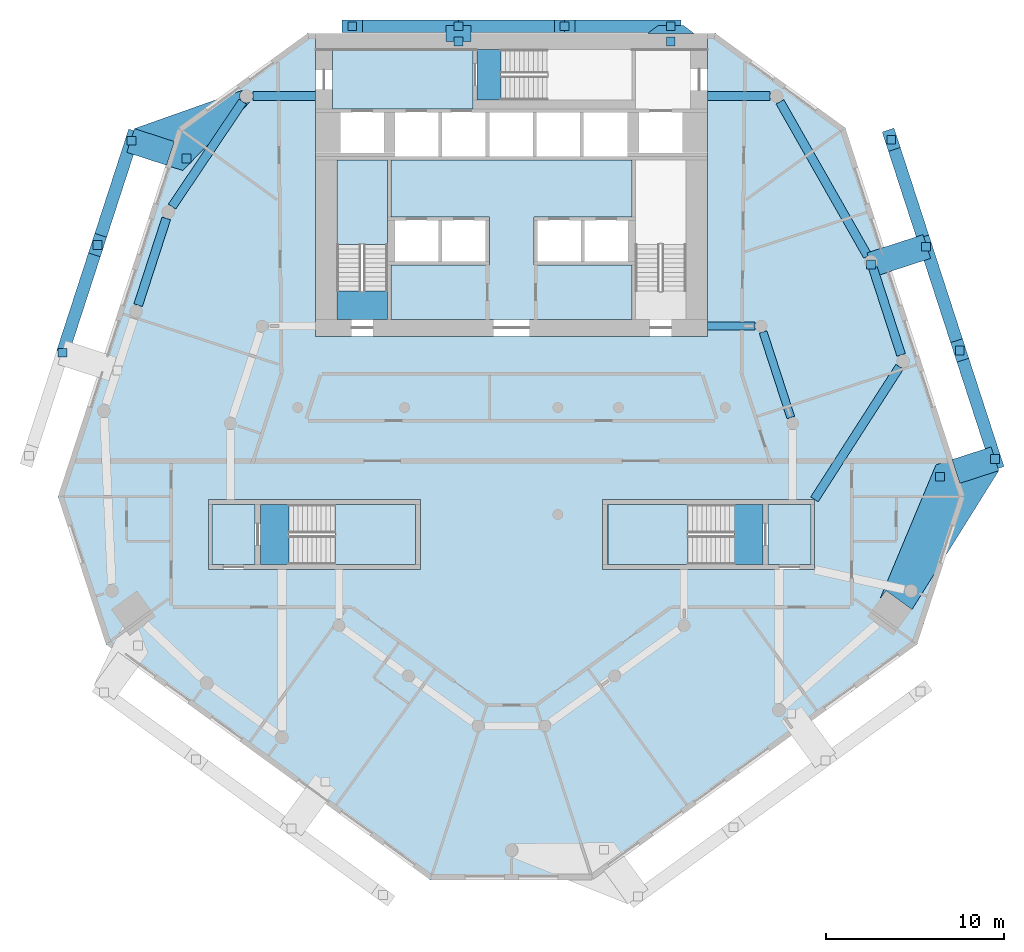
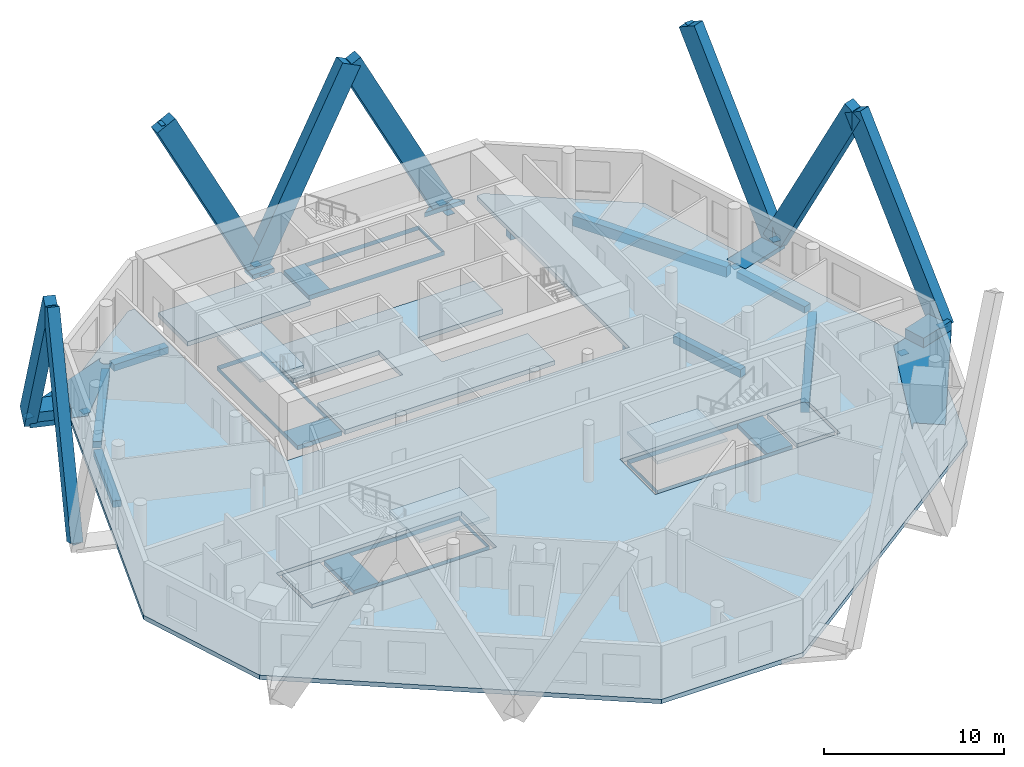
# One storey, part 2 of 9: 16 discrete accessories, 15 members, 12 slabs, 9 beams, 3 elements without a shape of their own.
"""IFC4 building model written with IfcOpenShell, lengths in metres."""

from ifc_helpers import new_model, si_unit, direction, frame, origin, origin_2d, place, context, subcontext, project, spatial, polyline, rectangle, outline, extrude, material, layer, layer_set, material_profile, profile_set, type_object, element, aggregate, save


model = new_model("IFC4")

# Units and contexts
model_context = context("Model", 3, precision=1e-05, world=origin(), true_north=direction((0.0, 1.0)))
body_context = subcontext(model_context, "Body", "Model", "MODEL_VIEW")
ifc_project = project(units=[si_unit("LENGTHUNIT", "METRE"), si_unit("AREAUNIT", "SQUARE_METRE"), si_unit("VOLUMEUNIT", "CUBIC_METRE"), si_unit("PLANEANGLEUNIT", "RADIAN"), si_unit("MASSUNIT", "GRAM", prefix="KILO")], contexts=[model_context])

# Site, building, storey
site_placement = place(None, origin())
site = spatial("IfcSite", under=ifc_project, at=site_placement, CompositionType="ELEMENT")
building_placement = place(site_placement, origin())
building = spatial("IfcBuilding", under=site, at=building_placement, Name="White Candle Pilgrim Tower", CompositionType="ELEMENT")
storey_placement = place(building_placement, frame((0.0, 0.0, 148.60009765625)))
storey = spatial("IfcBuildingStorey", under=building, at=storey_placement, Name="L33", CompositionType="ELEMENT", Elevation=148.60009765625)

# Member
ifc_material_1 = material(Name="Concrete C70/85, white", Category="concrete")
ifc_material_profile_1 = material_profile(ifc_material_1, rectangle(XDim=0.699951171875, YDim=1.300048828125, at=origin_2d()), Name="RC-DG 700x1300")
ifc_profile_set_1 = profile_set([ifc_material_profile_1], Name="Concrete C70/85, white")
member_type_1 = type_object("IfcMemberType", Name="Exoskeleton diagonal RC-DG 700x1300 C70/85", PredefinedType="BRACE", material=ifc_profile_set_1)
member_1_placement = place(storey_placement, frame((78.93701171875, 88.39990234375, 0.0), z_axis=(-0.453783992732, 0.0, 0.891111714624), x_axis=(0.0, -1.0, 0.0)))
member_1 = element("IfcMember", 1, at=member_1_placement, inside=storey, type_object=member_type_1, Name="Exoskeleton diagonal EX121", PredefinedType="BRACE", context=body_context, shape_type="SweptSolid", body=[
    extrude(rectangle(XDim=0.699951171875, YDim=1.300048828125, at=origin_2d()), origin(), (0.0, 0.0, 1.0), 13.129638671875),
])

member_2_placement = place(storey_placement, frame((67.02099609375, 88.39990234375, 0.0), z_axis=(0.453783992732, 0.0, 0.891111714624), x_axis=(0.0, 1.0, 0.0)))
member_2 = element("IfcMember", 2, at=member_2_placement, inside=storey, type_object=member_type_1, Name="Exoskeleton diagonal EX122", PredefinedType="BRACE", context=body_context, shape_type="SweptSolid", body=[
    extrude(rectangle(XDim=0.699951171875, YDim=1.300048828125, at=origin_2d()), origin(), (0.0, 0.0, 1.0), 13.129638671875),
])

member_3_placement = place(storey_placement, frame((67.02099609375, 88.39990234375, 0.0), z_axis=(-0.453783992732, 0.0, 0.891111714624), x_axis=(0.0, -1.0, 0.0)))
member_3 = element("IfcMember", 3, at=member_3_placement, inside=storey, type_object=member_type_1, Name="Exoskeleton diagonal EX123", PredefinedType="BRACE", context=body_context, shape_type="SweptSolid", body=[
    extrude(rectangle(XDim=0.699951171875, YDim=1.300048828125, at=origin_2d()), origin(), (0.0, 0.0, 1.0), 13.129638671875),
])

member_4_placement = place(storey_placement, frame((97.12841796875, 64.1240234375, 0.0), z_axis=(-0.148220534513, 0.456142057539, 0.877476550395), x_axis=(-0.951049778299, -0.309037731026, 0.0)))
member_4 = element("IfcMember", 4, at=member_4_placement, inside=storey, type_object=member_type_1, Name="Exoskeleton diagonal EX133", PredefinedType="BRACE", context=body_context, shape_type="SweptSolid", body=[
    extrude(rectangle(XDim=0.699951171875, YDim=1.300048828125, at=origin_2d()), origin(), (0.0, 0.0, 1.0), 13.333740234375),
])

member_5_placement = place(storey_placement, frame((93.261962890625, 76.023681640625, 0.0), z_axis=(0.143164957843, -0.440645541262, 0.886191458891), x_axis=(0.951062515241, 0.308998530908, 0.0)))
member_5 = element("IfcMember", 5, at=member_5_placement, inside=storey, type_object=member_type_1, Name="Exoskeleton diagonal EX134", PredefinedType="BRACE", context=body_context, shape_type="SweptSolid", body=[
    extrude(rectangle(XDim=0.699951171875, YDim=1.300048828125, at=origin_2d()), origin(), (0.0, 0.0, 1.0), 13.202392578125),
])

member_6_placement = place(storey_placement, frame((93.261962890625, 76.023681640625, 0.0), z_axis=(-0.146785830881, 0.451797018869, 0.879962143273), x_axis=(-0.951063890037, -0.308994299409, 0.0)))
member_6 = element("IfcMember", 6, at=member_6_placement, inside=storey, type_object=member_type_1, Name="Exoskeleton diagonal EX135", PredefinedType="BRACE", context=body_context, shape_type="SweptSolid", body=[
    extrude(rectangle(XDim=0.699951171875, YDim=1.300048828125, at=origin_2d()), origin(), (0.0, 0.0, 1.0), 13.2958984375),
])

member_7_placement = place(storey_placement, frame((48.671142578125, 81.973388671875, 0.0), z_axis=(-0.143890620998, -0.442862535006, 0.884967945338), x_axis=(0.95105912878, -0.309008953859, 0.0)))
member_7 = element("IfcMember", 7, at=member_7_placement, inside=storey, type_object=member_type_1, Name="Exoskeleton diagonal EX169", PredefinedType="BRACE", context=body_context, shape_type="SweptSolid", body=[
    extrude(rectangle(XDim=0.699951171875, YDim=1.300048828125, at=origin_2d()), origin(), (0.0, 0.0, 1.0), 13.220703125),
])

member_8_placement = place(storey_placement, frame((44.8046875, 70.07373046875, 0.0), z_axis=(0.147513051825, 0.453980814186, 0.878715721888), x_axis=(-0.951052980016, 0.30902787771, 0.0)))
member_8 = element("IfcMember", 8, at=member_8_placement, inside=storey, type_object=member_type_1, Name="Exoskeleton diagonal EX170", PredefinedType="BRACE", context=body_context, shape_type="SweptSolid", body=[
    extrude(rectangle(XDim=0.699951171875, YDim=1.300048828125, at=origin_2d()), origin(), (0.0, 0.0, 1.0), 13.31494140625),
])

ifc_layer_1 = layer(ifc_material_1, 0.300048828125)
ifc_layer_set_1 = layer_set([ifc_layer_1], Name="Node tie strut 3250x1400x300 C70/85")
member_type_2 = type_object("IfcMemberType", Name="Node tie strut 3250x1400x300 C70/85", PredefinedType="STRUT", material=ifc_layer_set_1)
member_9_placement = place(storey_placement, frame((0.0, 0.0, -0.35009765625)))
member_9 = element("IfcMember", 9, at=member_9_placement, inside=storey, type_object=member_type_2, Name="Node tie strut NC101", PredefinedType="STRUT", context=body_context, shape_type="SweptSolid", body=[
    extrude(outline(polyline([(92.47705078125, 55.669189453125), (97.3447265625, 63.458251953125), (96.912109375, 64.789794921875), (93.8212890625, 63.785400390625), (90.671142578125, 56.245849609375), (91.02099609375, 56.72705078125), (92.47705078125, 55.669189453125)])), origin(), (0.0, 0.0, 1.0), 0.35009765625),
])

member_10_placement = place(storey_placement, origin())
element("IfcMember", 10, at=member_10_placement, inside=storey, type_object=member_type_2, Name="Node tie strut NC101", PredefinedType="STRUT", context=body_context, shape_type="SweptSolid", body=[
    extrude(outline(polyline([(95.1572265625, 62.74755859375), (97.3447265625, 63.458251953125), (96.912109375, 64.789794921875), (94.724609375, 64.0791015625), (95.1572265625, 62.74755859375)])), origin(), (0.0, 0.0, 1.0), 0.64990234375),
])

ifc_layer_2 = layer(ifc_material_1, 0.300048828125)
ifc_layer_set_2 = layer_set([ifc_layer_2], Name="Node tie strut 3300x1400x300 C70/85")
member_type_3 = type_object("IfcMemberType", Name="Node tie strut 3300x1400x300 C70/85", PredefinedType="STRUT", material=ifc_layer_set_2)
member_11_placement = place(storey_placement, frame((91.740234375, 75.529296875, -0.30029296875), z_axis=(0.0, 0.0, 1.0), x_axis=(-0.309016994375, 0.951056516295, 0.0)))
member_11 = element("IfcMember", 11, at=member_11_placement, inside=storey, type_object=member_type_3, Name="Node tie strut NC102", PredefinedType="STRUT", context=body_context, shape_type="SweptSolid", body=[
    extrude(rectangle(XDim=1.39990234375, YDim=3.300048828125, at=origin_2d()), origin(), (0.0, 0.0, 1.0), 0.300048828125),
])

member_12_placement = place(storey_placement, frame((0.0, 0.0, -0.35009765625)))
member_12 = element("IfcMember", 12, at=member_12_placement, inside=storey, type_object=member_type_3, Name="Node tie strut NC109", PredefinedType="STRUT", context=body_context, shape_type="SweptSolid", body=[
    extrude(outline(polyline([(51.5458984375, 80.30322265625), (55.38525390625, 84.21484375), (55.3671875, 84.197998046875), (55.348388671875, 84.1826171875), (55.328369140625, 84.168212890625), (55.3076171875, 84.1552734375), (55.285888671875, 84.143798828125), (55.263427734375, 84.133544921875), (55.240478515625, 84.125), (55.217041015625, 84.117919921875), (55.193115234375, 84.1123046875), (55.1689453125, 84.108154296875), (55.14453125, 84.105712890625), (55.1201171875, 84.10498046875), (55.095458984375, 84.105712890625), (55.071044921875, 84.108154296875), (55.046875, 84.1123046875), (55.02294921875, 84.117919921875), (54.99951171875, 84.125), (54.9765625, 84.133544921875), (54.9541015625, 84.143798828125), (54.9326171875, 84.1552734375), (54.91162109375, 84.168212890625), (54.8916015625, 84.1826171875), (54.872802734375, 84.197998046875), (54.854736328125, 84.21484375), (54.838134765625, 84.232666015625), (54.822509765625, 84.251708984375), (54.80810546875, 84.271728515625), (54.795166015625, 84.29248046875), (54.78369140625, 84.314208984375), (54.7734375, 84.33642578125), (54.764892578125, 84.359619140625), (54.7578125, 84.3828125), (54.752197265625, 84.40673828125), (54.748291015625, 84.43115234375), (54.745849609375, 84.45556640625), (54.7451171875, 84.47998046875), (54.745849609375, 84.50439453125), (54.748291015625, 84.52880859375), (54.752197265625, 84.55322265625), (54.7578125, 84.5771484375), (54.764892578125, 84.6005859375), (54.7734375, 84.62353515625), (54.78369140625, 84.64599609375), (54.795166015625, 84.66748046875), (54.80810546875, 84.688232421875), (54.822509765625, 84.708251953125), (54.838134765625, 84.727294921875), (54.854736328125, 84.7451171875), (54.872802734375, 84.761962890625), (54.8916015625, 84.777587890625), (54.91162109375, 84.791748046875), (54.9326171875, 84.8046875), (54.9541015625, 84.81640625), (54.9765625, 84.826416015625), (54.99951171875, 84.835205078125), (48.840087890625, 82.654541015625), (48.4072265625, 81.322998046875), (51.5458984375, 80.30322265625)])), origin(), (0.0, 0.0, 1.0), 0.35009765625),
])

member_13_placement = place(storey_placement, origin())
element("IfcMember", 13, at=member_13_placement, inside=storey, type_object=member_type_3, Name="Node tie strut NC109", PredefinedType="STRUT", context=body_context, shape_type="SweptSolid", body=[
    extrude(outline(polyline([(50.642333984375, 80.596923828125), (51.074951171875, 81.92822265625), (48.840087890625, 82.654541015625), (48.4072265625, 81.322998046875), (50.642333984375, 80.596923828125)])), origin(), (0.0, 0.0, 1.0), 0.64990234375),
])

ifc_layer_3 = layer(ifc_material_1, 0.300048828125)
ifc_layer_set_3 = layer_set([ifc_layer_3], Name="Node tie strut 900x1400x300 C70/85")
member_type_4 = type_object("IfcMemberType", Name="Node tie strut 900x1400x300 C70/85", PredefinedType="STRUT", material=ifc_layer_set_3)
member_14_placement = place(storey_placement, frame((0.0, 0.0, -0.300048828125)))
member_14 = element("IfcMember", 14, at=member_14_placement, inside=storey, type_object=member_type_4, Name="Node tie strut NC103", PredefinedType="STRUT", context=body_context, shape_type="SweptSolid", body=[
    extrude(outline(polyline([(77.636962890625, 88.0), (80.237060546875, 88.0), (79.636962890625, 88.449951171875), (78.237060546875, 88.449951171875), (77.636962890625, 88.0)])), origin(), (0.0, 0.0, 1.0), 0.300048828125),
])

member_15_placement = place(storey_placement, frame((67.02099609375, 88.0, -0.30029296875), z_axis=(0.0, 0.0, 1.0), x_axis=(-1.0, 0.0, 0.0)))
member_15 = element("IfcMember", 15, at=member_15_placement, inside=storey, type_object=member_type_4, Name="Node tie strut NC104", PredefinedType="STRUT", context=body_context, shape_type="SweptSolid", body=[
    extrude(rectangle(XDim=1.39990234375, YDim=0.89990234375, at=origin_2d()), origin(), (0.0, 0.0, 1.0), 0.300048828125),
])

# Beams
ifc_material_2 = material(Name="Concrete C50/60", Category="concrete")
ifc_material_profile_2 = material_profile(ifc_material_2, rectangle(XDim=0.449951171875, YDim=0.550048828125, at=origin_2d()), Name="RC-BM 450x550")
ifc_profile_set_2 = profile_set([ifc_material_profile_2], Name="Concrete C50/60")
beam_type_1 = type_object("IfcBeamType", Name="Ring beam RC-BM 450x550 C50/60", PredefinedType="BEAM", material=ifc_profile_set_2)
beam_1_placement = place(storey_placement, frame((85.672119140625, 66.44287109375, -0.5751953125), z_axis=(-0.308369651752, 0.95126660715, 0.0), x_axis=(-0.95126660715, -0.308369651752, 0.0)))
element("IfcBeam", 16, at=beam_1_placement, inside=storey, type_object=beam_type_1, Name="L33 ring beam R08", PredefinedType="BEAM", context=body_context, shape_type="SweptSolid", body=[
    extrude(rectangle(XDim=0.449951171875, YDim=0.550048828125, at=origin_2d()), origin(), (0.0, 0.0, 1.0), 5.0400390625),
])
beam_2_placement = place(storey_placement, frame((83.659912109375, 71.570068359375, -0.5751953125), z_axis=(-1.0, 0.0, 0.0), x_axis=(0.0, -1.0, 0.0)))
element("IfcBeam", 17, at=beam_2_placement, inside=storey, type_object=beam_type_1, Name="L33 ring beam R09", PredefinedType="BEAM", context=body_context, shape_type="SweptSolid", body=[
    extrude(rectangle(XDim=0.449951171875, YDim=0.550048828125, at=origin_2d()), origin(), (0.0, 0.0, 1.0), 2.659912109375),
])
ifc_material_profile_3 = material_profile(ifc_material_2, rectangle(XDim=0.5, YDim=0.449951171875, at=origin_2d()), Name="RC-BM 500x450")
ifc_profile_set_3 = profile_set([ifc_material_profile_3], Name="Concrete C50/60")
beam_type_2 = type_object("IfcBeamType", Name="Spandrel beam RC-BM 500x450 C50/60", PredefinedType="BEAM", material=ifc_profile_set_3)
beam_3_placement = place(storey_placement, frame((91.8642578125, 69.95654296875, -0.525146484375), z_axis=(-0.308530369215, 0.951214492779, 0.0), x_axis=(-0.951214492779, -0.308530369215, 0.0)))
element("IfcBeam", 18, at=beam_3_placement, inside=storey, type_object=beam_type_2, Name="L33 spandrel beam T08", PredefinedType="BEAM", context=body_context, shape_type="SweptSolid", body=[
    extrude(rectangle(XDim=0.5, YDim=0.449951171875, at=origin_2d()), origin(), (0.0, 0.0, 1.0), 5.116455078125),
])
for number, where, z_axis, x_axis, name in (
    (19, (84.5048828125, 84.47998046875, -0.525146484375), (-1.0, 0.0, 0.0), (0.0, -1.0, 0.0), "L33 spandrel beam T10"),
    (20, (55.4951171875, 84.47998046875, -0.525146484375), (1.0, 0.0, 0.0), (0.0, 1.0, 0.0), "L33 spandrel beam T11"),
):
    element("IfcBeam", number, at=place(storey_placement, frame(where, z_axis=z_axis, x_axis=x_axis)), inside=storey, type_object=beam_type_2, Name=name, PredefinedType="BEAM", context=body_context, shape_type="SweptSolid", body=[
        extrude(rectangle(XDim=0.5, YDim=0.449951171875, at=origin_2d()), origin(), (0.0, 0.0, 1.0), 3.5048828125),
    ])
beam_4_placement = place(storey_placement, frame((54.91064453125, 84.1689453125, -0.525146484375), z_axis=(-0.55822018442, -0.82969285022, 0.0), x_axis=(0.82969285022, -0.55822018442, 0.0)))
element("IfcBeam", 21, at=beam_4_placement, inside=storey, type_object=beam_type_2, Name="L33 spandrel beam T12", PredefinedType="BEAM", context=body_context, shape_type="SweptSolid", body=[
    extrude(rectangle(XDim=0.5, YDim=0.449951171875, at=origin_2d()), origin(), (0.0, 0.0, 1.0), 7.096435546875),
])
beam_5_placement = place(storey_placement, frame((50.624267578125, 77.61328125, -0.525146484375), z_axis=(-0.308544373382, -0.951209950355, 0.0), x_axis=(0.951209950355, -0.308544373382, 0.0)))
element("IfcBeam", 22, at=beam_5_placement, inside=storey, type_object=beam_type_2, Name="L33 spandrel beam T13", PredefinedType="BEAM", context=body_context, shape_type="SweptSolid", body=[
    extrude(rectangle(XDim=0.5, YDim=0.449951171875, at=origin_2d()), origin(), (0.0, 0.0, 1.0), 5.1162109375),
])
ifc_material_profile_4 = material_profile(ifc_material_2, rectangle(XDim=0.5, YDim=0.699951171875, at=origin_2d()), Name="RC-BM 500x700")
ifc_profile_set_4 = profile_set([ifc_material_profile_4], Name="Concrete C50/60")
beam_type_3 = type_object("IfcBeamType", Name="Spandrel beam RC-BM 500x700 C50/60", PredefinedType="BEAM", material=ifc_profile_set_4)
beam_6_placement = place(storey_placement, frame((91.77734375, 69.28466796875, -0.650146484375), z_axis=(-0.540595612128, -0.841282582815, 0.0), x_axis=(0.841282582815, -0.540595612128, 0.0)))
element("IfcBeam", 23, at=beam_6_placement, inside=storey, type_object=beam_type_3, Name="L33 spandrel beam T07", PredefinedType="BEAM", context=body_context, shape_type="SweptSolid", body=[
    extrude(rectangle(XDim=0.5, YDim=0.699951171875, at=origin_2d()), origin(), (0.0, 0.0, 1.0), 8.837158203125),
])
beam_7_placement = place(storey_placement, frame((89.984619140625, 75.505859375, -0.650146484375), z_axis=(-0.494422929515, 0.869221471646, 0.0), x_axis=(-0.869221471646, -0.494422929515, 0.0)))
element("IfcBeam", 24, at=beam_7_placement, inside=storey, type_object=beam_type_3, Name="L33 spandrel beam T09", PredefinedType="BEAM", context=body_context, shape_type="SweptSolid", body=[
    extrude(rectangle(XDim=0.5, YDim=0.699951171875, at=origin_2d()), origin(), (0.0, 0.0, 1.0), 9.949462890625),
])

# Slabs
ifc_material_3 = material(Name="Concrete C40/50", Category="concrete")
ifc_layer_4 = layer(ifc_material_3, 0.300048828125)
ifc_layer_set_4 = layer_set([ifc_layer_4], Name="Core floor slab 300 mm Concrete C40/50")
slab_type_1 = type_object("IfcSlabType", Name="Core floor slab 300 mm Concrete C40/50", PredefinedType="FLOOR", material=ifc_layer_set_4)
slab_1_placement = place(storey_placement, frame((0.0, 0.0, -0.300048828125)))
element("IfcSlab", 25, at=slab_1_placement, inside=storey, type_object=slab_type_1, Name="CF-L33-01", PredefinedType="FLOOR", context=body_context, shape_type="SweptSolid", body=[
    extrude(outline(polyline([(55.60009765625, 58.199951171875), (53.199951171875, 58.199951171875), (53.199951171875, 61.550048828125), (55.60009765625, 61.550048828125), (55.60009765625, 58.199951171875)])), origin(), (0.0, 0.0, 1.0), 0.300048828125),
])
slab_2_placement = place(storey_placement, frame((0.0, 0.0, -0.300048828125)))
element("IfcSlab", 26, at=slab_2_placement, inside=storey, type_object=slab_type_1, Name="CF-L33-02", PredefinedType="FLOOR", context=body_context, shape_type="SweptSolid", body=[
    extrude(outline(polyline([(55.89990234375, 58.199951171875), (55.89990234375, 61.550048828125), (64.60009765625, 61.550048828125), (64.60009765625, 58.199951171875), (55.89990234375, 58.199951171875)]), holes=[polyline([(57.501953125, 61.548095703125), (57.501953125, 58.201904296875), (64.597900390625, 58.201904296875), (64.597900390625, 61.548095703125), (57.501953125, 61.548095703125)])]), origin(), (0.0, 0.0, 1.0), 0.300048828125),
])
slab_3_placement = place(storey_placement, frame((0.0, 0.0, -0.300048828125)))
element("IfcSlab", 27, at=slab_3_placement, inside=storey, type_object=slab_type_1, Name="CF-L33-03", PredefinedType="FLOOR", context=body_context, shape_type="SweptSolid", body=[
    extrude(outline(polyline([(75.39990234375, 58.199951171875), (75.39990234375, 61.550048828125), (84.10009765625, 61.550048828125), (84.10009765625, 58.199951171875), (75.39990234375, 58.199951171875)]), holes=[polyline([(82.498046875, 58.201904296875), (82.498046875, 61.548095703125), (75.402099609375, 61.548095703125), (75.402099609375, 58.201904296875), (82.498046875, 58.201904296875)])]), origin(), (0.0, 0.0, 1.0), 0.300048828125),
])
slab_4_placement = place(storey_placement, frame((0.0, 0.0, -0.300048828125)))
element("IfcSlab", 28, at=slab_4_placement, inside=storey, type_object=slab_type_1, Name="CF-L33-04", PredefinedType="FLOOR", context=body_context, shape_type="SweptSolid", body=[
    extrude(outline(polyline([(86.800048828125, 58.199951171875), (84.39990234375, 58.199951171875), (84.39990234375, 61.550048828125), (86.800048828125, 61.550048828125), (86.800048828125, 58.199951171875)])), origin(), (0.0, 0.0, 1.0), 0.300048828125),
])
slab_5_placement = place(storey_placement, frame((0.0, 0.0, -0.300048828125)))
element("IfcSlab", 29, at=slab_5_placement, inside=storey, type_object=slab_type_1, Name="CF-L33-05", PredefinedType="FLOOR", context=body_context, shape_type="SweptSolid", body=[
    extrude(outline(polyline([(76.75, 87.10009765625), (76.75, 87.050048828125), (76.75, 84.25), (68.050048828125, 84.25), (68.050048828125, 87.050048828125), (68.050048828125, 87.10009765625), (76.75, 87.10009765625)]), holes=[polyline([(69.402099609375, 87.097900390625), (69.402099609375, 84.251953125), (76.748046875, 84.251953125), (76.748046875, 87.097900390625), (69.402099609375, 87.097900390625)])]), origin(), (0.0, 0.0, 1.0), 0.300048828125),
])
slab_6_placement = place(storey_placement, frame((0.0, 0.0, -0.300048828125)))
element("IfcSlab", 30, at=slab_6_placement, inside=storey, type_object=slab_type_1, Name="CF-L33-08", PredefinedType="FLOOR", context=body_context, shape_type="SweptSolid", body=[
    extrude(outline(polyline([(63.25, 71.949951171875), (63.25, 75.0), (68.75, 75.0), (68.75, 75.199951171875), (68.75, 77.5), (68.75, 77.699951171875), (63.25, 77.699951171875), (63.25, 80.89990234375), (76.75, 80.89990234375), (76.75, 77.699951171875), (71.25, 77.699951171875), (71.25, 77.5), (71.25, 75.199951171875), (71.25, 75.0), (76.75, 75.0), (76.75, 71.949951171875), (63.25, 71.949951171875)])), origin(), (0.0, 0.0, 1.0), 0.300048828125),
])
slab_7_placement = place(storey_placement, frame((0.0, 0.0, -0.300048828125)))
element("IfcSlab", 31, at=slab_7_placement, inside=storey, type_object=slab_type_1, Name="CF-L33-09", PredefinedType="FLOOR", context=body_context, shape_type="SweptSolid", body=[
    extrude(outline(polyline([(60.199951171875, 71.949951171875), (60.199951171875, 80.89990234375), (63.050048828125, 80.89990234375), (63.050048828125, 77.699951171875), (63.050048828125, 77.5), (63.050048828125, 75.199951171875), (63.050048828125, 75.0), (63.050048828125, 71.949951171875), (60.199951171875, 71.949951171875)]), holes=[polyline([(60.201904296875, 73.552001953125), (63.048095703125, 73.552001953125), (63.048095703125, 80.89794921875), (60.201904296875, 80.89794921875), (60.201904296875, 73.552001953125)])]), origin(), (0.0, 0.0, 1.0), 0.300048828125),
])
slab_8_placement = place(storey_placement, frame((0.0, 0.0, -0.300048828125)))
element("IfcSlab", 32, at=slab_8_placement, inside=storey, type_object=slab_type_1, Name="CF-L33-10", PredefinedType="FLOOR", context=body_context, shape_type="SweptSolid", body=[
    extrude(outline(polyline([(59.949951171875, 87.050048828125), (67.85009765625, 87.050048828125), (67.85009765625, 84.25), (67.85009765625, 83.75), (59.949951171875, 83.75), (59.949951171875, 87.050048828125)])), origin(), (0.0, 0.0, 1.0), 0.300048828125),
])
ifc_layer_5 = layer(ifc_material_3, 0.300048828125)
ifc_layer_set_5 = layer_set([ifc_layer_5], Name="Floor slab 300 REI 120")
slab_type_2 = type_object("IfcSlabType", Name="Floor slab 300 REI 120", PredefinedType="FLOOR", material=ifc_layer_set_5)
slab_9_placement = place(storey_placement, frame((0.0, 0.0, -0.300048828125)))
element("IfcSlab", 33, at=slab_9_placement, inside=storey, type_object=slab_type_2, Name="L33 floor slab", PredefinedType="FLOOR", context=body_context, shape_type="SweptSolid", body=[
    extrude(outline(polyline([(65.441162109375, 40.491455078125), (74.558837890625, 40.491455078125), (92.759521484375, 53.715087890625), (95.4521484375, 62.002197265625), (88.725341796875, 82.70458984375), (81.43701171875, 88.0), (81.0, 88.0), (81.0, 71.0), (59.0, 71.0), (59.0, 88.0), (58.56298828125, 88.0), (51.274658203125, 82.70458984375), (44.5478515625, 62.002197265625), (47.240478515625, 53.715087890625), (65.441162109375, 40.491455078125)]), holes=[polyline([(53.0, 57.89990234375), (53.0, 61.85009765625), (64.89990234375, 61.85009765625), (64.89990234375, 57.89990234375), (53.0, 57.89990234375)]), polyline([(75.10009765625, 57.89990234375), (75.10009765625, 61.85009765625), (87.0, 61.85009765625), (87.0, 57.89990234375), (75.10009765625, 57.89990234375)])]), origin(), (0.0, 0.0, 1.0), 0.300048828125),
])

# Stair, slab
stair_type_1 = type_object("IfcStairType", Name="Exit stair 1 flight width 1350 mm", PredefinedType="HALF_TURN_STAIR", material=ifc_material_3)
stair_1_placement = place(storey_placement, origin())
stair_1 = element("IfcStair", 34, at=stair_1_placement, inside=storey, type_object=stair_type_1, Name="L33 stair 1", PredefinedType="NOTDEFINED")
ifc_layer_6 = layer(ifc_material_3, 0.199951171875)
ifc_layer_set_6 = layer_set([ifc_layer_6], Name="Stair landing Concrete C40/50")
slab_type_3 = type_object("IfcSlabType", Name="Stair landing Concrete C40/50", PredefinedType="LANDING", material=ifc_layer_set_6)
slab_10_placement = place(storey_placement, frame((0.0, 0.0, 1.75)))
slab_10 = element("IfcSlab", 35, at=slab_10_placement, type_object=slab_type_3, Name="ST1 landing 1", PredefinedType="LANDING", context=body_context, shape_type="SweptSolid", body=[
    extrude(outline(polyline([(63.052001953125, 76.14794921875), (60.197998046875, 76.14794921875), (60.197998046875, 80.902099609375), (63.052001953125, 80.902099609375), (63.052001953125, 76.14794921875)])), origin(), (0.0, 0.0, 1.0), 0.199951171875),
])
aggregate(stair_1, [slab_10])

stair_type_2 = type_object("IfcStairType", Name="Exit stair 4 flight width 1600 mm", PredefinedType="HALF_TURN_STAIR", material=ifc_material_3)
stair_2_placement = place(storey_placement, origin())
stair_2 = element("IfcStair", 36, at=stair_2_placement, inside=storey, type_object=stair_type_2, Name="L33 stair 4", PredefinedType="NOTDEFINED")
slab_11_placement = place(storey_placement, frame((0.0, 0.0, 1.75)))
slab_11 = element("IfcSlab", 37, at=slab_11_placement, type_object=slab_type_3, Name="ST4 landing 1", PredefinedType="LANDING", context=body_context, shape_type="SweptSolid", body=[
    extrude(outline(polyline([(79.902099609375, 61.552001953125), (79.902099609375, 58.197998046875), (75.39794921875, 58.197998046875), (75.39794921875, 61.552001953125), (79.902099609375, 61.552001953125)])), origin(), (0.0, 0.0, 1.0), 0.199951171875),
])
aggregate(stair_2, [slab_11])

stair_type_3 = type_object("IfcStairType", Name="Exit stair 5 flight width 1600 mm", PredefinedType="HALF_TURN_STAIR", material=ifc_material_3)
stair_3_placement = place(storey_placement, origin())
stair_3 = element("IfcStair", 38, at=stair_3_placement, inside=storey, type_object=stair_type_3, Name="L33 stair 5", PredefinedType="NOTDEFINED")
slab_12_placement = place(storey_placement, frame((0.0, 0.0, 1.75)))
slab_12 = element("IfcSlab", 39, at=slab_12_placement, type_object=slab_type_3, Name="ST5 landing 1", PredefinedType="LANDING", context=body_context, shape_type="SweptSolid", body=[
    extrude(outline(polyline([(60.097900390625, 58.197998046875), (60.097900390625, 61.552001953125), (64.60205078125, 61.552001953125), (64.60205078125, 58.197998046875), (60.097900390625, 58.197998046875)])), origin(), (0.0, 0.0, 1.0), 0.199951171875),
])
aggregate(stair_3, [slab_12])

# Discrete accessory
ifc_material_4 = material(Name="Steel S355", Category="steel")
ifc_layer_7 = layer(ifc_material_4, 0.02490234375)
ifc_layer_set_7 = layer_set([ifc_layer_7], Name="Gusset plate 500x500x25 S355")
discrete_accessory_type = type_object("IfcDiscreteAccessoryType", Name="Gusset plate 500x500x25 S355", PredefinedType="BRACKET", material=ifc_layer_set_7)
discrete_accessory_1_placement = place(storey_placement, frame((78.93701171875, 88.39990234375, -0.012451171875), z_axis=(0.0, 0.0, 1.0), x_axis=(1.0, 0.0, 0.0)))
discrete_accessory_1 = element("IfcDiscreteAccessory", 40, at=discrete_accessory_1_placement, type_object=discrete_accessory_type, Name="Gusset plate 0136", PredefinedType="BRACKET", context=body_context, shape_type="SweptSolid", body=[
    extrude(rectangle(XDim=0.5, YDim=0.5, at=origin_2d()), origin(), (0.0, 0.0, 1.0), 0.02490234375),
])

placement = place(building_placement, frame((0.0, 0.0, 160.300048828125)))
discrete_accessory_2_placement = place(placement, frame((72.97900390625, 88.39990234375, -0.012451171875), z_axis=(0.0, 0.0, 1.0), x_axis=(1.0, 0.0, 0.0)))
discrete_accessory_2 = element("IfcDiscreteAccessory", 41, at=discrete_accessory_2_placement, type_object=discrete_accessory_type, Name="Gusset plate 0137", PredefinedType="BRACKET", context=body_context, shape_type="SweptSolid", body=[
    extrude(rectangle(XDim=0.5, YDim=0.5, at=origin_2d()), origin(), (0.0, 0.0, 1.0), 0.02490234375),
])

aggregate(member_1, [discrete_accessory_1, discrete_accessory_2])

discrete_accessory_3_placement = place(storey_placement, frame((67.02099609375, 88.39990234375, -0.012451171875), z_axis=(0.0, 0.0, 1.0), x_axis=(1.0, 0.0, 0.0)))
discrete_accessory_3 = element("IfcDiscreteAccessory", 42, at=discrete_accessory_3_placement, type_object=discrete_accessory_type, Name="Gusset plate 0138", PredefinedType="BRACKET", context=body_context, shape_type="SweptSolid", body=[
    extrude(rectangle(XDim=0.5, YDim=0.5, at=origin_2d()), origin(), (0.0, 0.0, 1.0), 0.02490234375),
])

aggregate(member_2, [discrete_accessory_3])

discrete_accessory_4_placement = place(placement, frame((61.06298828125, 88.39990234375, -0.012451171875), z_axis=(0.0, 0.0, 1.0), x_axis=(1.0, 0.0, 0.0)))
discrete_accessory_4 = element("IfcDiscreteAccessory", 43, at=discrete_accessory_4_placement, type_object=discrete_accessory_type, Name="Gusset plate 0139", PredefinedType="BRACKET", context=body_context, shape_type="SweptSolid", body=[
    extrude(rectangle(XDim=0.5, YDim=0.5, at=origin_2d()), origin(), (0.0, 0.0, 1.0), 0.02490234375),
])

aggregate(member_3, [discrete_accessory_4])

discrete_accessory_5_placement = place(storey_placement, frame((97.12841796875, 64.1240234375, -0.012451171875), z_axis=(0.0, 0.0, 1.0), x_axis=(1.0, 0.0, 0.0)))
discrete_accessory_5 = element("IfcDiscreteAccessory", 44, at=discrete_accessory_5_placement, type_object=discrete_accessory_type, Name="Gusset plate 0146", PredefinedType="BRACKET", context=body_context, shape_type="SweptSolid", body=[
    extrude(rectangle(XDim=0.5, YDim=0.5, at=origin_2d()), origin(), (0.0, 0.0, 1.0), 0.02490234375),
])

discrete_accessory_6_placement = place(placement, frame((95.152099609375, 70.2060546875, -0.012451171875), z_axis=(0.0, 0.0, 1.0), x_axis=(1.0, 0.0, 0.0)))
discrete_accessory_6 = element("IfcDiscreteAccessory", 45, at=discrete_accessory_6_placement, type_object=discrete_accessory_type, Name="Gusset plate 0147", PredefinedType="BRACKET", context=body_context, shape_type="SweptSolid", body=[
    extrude(rectangle(XDim=0.5, YDim=0.5, at=origin_2d()), origin(), (0.0, 0.0, 1.0), 0.02490234375),
])

aggregate(member_4, [discrete_accessory_5, discrete_accessory_6])

discrete_accessory_7_placement = place(storey_placement, frame((93.261962890625, 76.023681640625, -0.012451171875), z_axis=(0.0, 0.0, 1.0), x_axis=(1.0, 0.0, 0.0)))
discrete_accessory_7 = element("IfcDiscreteAccessory", 46, at=discrete_accessory_7_placement, type_object=discrete_accessory_type, Name="Gusset plate 0148", PredefinedType="BRACKET", context=body_context, shape_type="SweptSolid", body=[
    extrude(rectangle(XDim=0.5, YDim=0.5, at=origin_2d()), origin(), (0.0, 0.0, 1.0), 0.02490234375),
])

aggregate(member_5, [discrete_accessory_7])

discrete_accessory_8_placement = place(placement, frame((91.310302734375, 82.03076171875, -0.012451171875), z_axis=(0.0, 0.0, 1.0), x_axis=(1.0, 0.0, 0.0)))
discrete_accessory_8 = element("IfcDiscreteAccessory", 47, at=discrete_accessory_8_placement, type_object=discrete_accessory_type, Name="Gusset plate 0149", PredefinedType="BRACKET", context=body_context, shape_type="SweptSolid", body=[
    extrude(rectangle(XDim=0.5, YDim=0.5, at=origin_2d()), origin(), (0.0, 0.0, 1.0), 0.02490234375),
])

aggregate(member_6, [discrete_accessory_8])

discrete_accessory_9_placement = place(storey_placement, frame((48.671142578125, 81.973388671875, -0.012451171875), z_axis=(0.0, 0.0, 1.0), x_axis=(1.0, 0.0, 0.0)))
discrete_accessory_9 = element("IfcDiscreteAccessory", 48, at=discrete_accessory_9_placement, type_object=discrete_accessory_type, Name="Gusset plate 0193", PredefinedType="BRACKET", context=body_context, shape_type="SweptSolid", body=[
    extrude(rectangle(XDim=0.5, YDim=0.5, at=origin_2d()), origin(), (0.0, 0.0, 1.0), 0.02490234375),
])

discrete_accessory_10_placement = place(placement, frame((46.768798828125, 76.118408203125, -0.012451171875), z_axis=(0.0, 0.0, 1.0), x_axis=(1.0, 0.0, 0.0)))
discrete_accessory_10 = element("IfcDiscreteAccessory", 49, at=discrete_accessory_10_placement, type_object=discrete_accessory_type, Name="Gusset plate 0194", PredefinedType="BRACKET", context=body_context, shape_type="SweptSolid", body=[
    extrude(rectangle(XDim=0.5, YDim=0.5, at=origin_2d()), origin(), (0.0, 0.0, 1.0), 0.02490234375),
])

aggregate(member_7, [discrete_accessory_9, discrete_accessory_10])

discrete_accessory_11_placement = place(storey_placement, frame((44.8046875, 70.07373046875, -0.012451171875), z_axis=(0.0, 0.0, 1.0), x_axis=(1.0, 0.0, 0.0)))
discrete_accessory_11 = element("IfcDiscreteAccessory", 50, at=discrete_accessory_11_placement, type_object=discrete_accessory_type, Name="Gusset plate 0195", PredefinedType="BRACKET", context=body_context, shape_type="SweptSolid", body=[
    extrude(rectangle(XDim=0.5, YDim=0.5, at=origin_2d()), origin(), (0.0, 0.0, 1.0), 0.02490234375),
])

aggregate(member_8, [discrete_accessory_11])

discrete_accessory_12_placement = place(storey_placement, frame((94.03759765625, 63.11962890625, -0.16259765625), z_axis=(0.0, 0.0, 1.0), x_axis=(1.0, 0.0, 0.0)))
discrete_accessory_12 = element("IfcDiscreteAccessory", 51, at=discrete_accessory_12_placement, type_object=discrete_accessory_type, Name="Gusset plate 0482", PredefinedType="BRACKET", context=body_context, shape_type="SweptSolid", body=[
    extrude(rectangle(XDim=0.5, YDim=0.5, at=origin_2d()), origin(), (0.0, 0.0, 1.0), 0.02490234375),
])

aggregate(member_9, [discrete_accessory_12])

discrete_accessory_13_placement = place(storey_placement, frame((90.171142578125, 75.019287109375, -0.16259765625), z_axis=(0.0, 0.0, 1.0), x_axis=(1.0, 0.0, 0.0)))
discrete_accessory_13 = element("IfcDiscreteAccessory", 52, at=discrete_accessory_13_placement, type_object=discrete_accessory_type, Name="Gusset plate 0483", PredefinedType="BRACKET", context=body_context, shape_type="SweptSolid", body=[
    extrude(rectangle(XDim=0.5, YDim=0.5, at=origin_2d()), origin(), (0.0, 0.0, 1.0), 0.02490234375),
])

aggregate(member_11, [discrete_accessory_13])

discrete_accessory_14_placement = place(storey_placement, frame((78.93701171875, 87.550048828125, -0.16259765625), z_axis=(0.0, 0.0, 1.0), x_axis=(1.0, 0.0, 0.0)))
discrete_accessory_14 = element("IfcDiscreteAccessory", 53, at=discrete_accessory_14_placement, type_object=discrete_accessory_type, Name="Gusset plate 0484", PredefinedType="BRACKET", context=body_context, shape_type="SweptSolid", body=[
    extrude(rectangle(XDim=0.5, YDim=0.5, at=origin_2d()), origin(), (0.0, 0.0, 1.0), 0.02490234375),
])

aggregate(member_14, [discrete_accessory_14])

discrete_accessory_15_placement = place(storey_placement, frame((67.02099609375, 87.550048828125, -0.16259765625), z_axis=(0.0, 0.0, 1.0), x_axis=(1.0, 0.0, 0.0)))
discrete_accessory_15 = element("IfcDiscreteAccessory", 54, at=discrete_accessory_15_placement, type_object=discrete_accessory_type, Name="Gusset plate 0485", PredefinedType="BRACKET", context=body_context, shape_type="SweptSolid", body=[
    extrude(rectangle(XDim=0.5, YDim=0.5, at=origin_2d()), origin(), (0.0, 0.0, 1.0), 0.02490234375),
])

aggregate(member_15, [discrete_accessory_15])

discrete_accessory_16_placement = place(storey_placement, frame((51.76220703125, 80.968994140625, -0.16259765625), z_axis=(0.0, 0.0, 1.0), x_axis=(1.0, 0.0, 0.0)))
discrete_accessory_16 = element("IfcDiscreteAccessory", 55, at=discrete_accessory_16_placement, type_object=discrete_accessory_type, Name="Gusset plate 0490", PredefinedType="BRACKET", context=body_context, shape_type="SweptSolid", body=[
    extrude(rectangle(XDim=0.5, YDim=0.5, at=origin_2d()), origin(), (0.0, 0.0, 1.0), 0.02490234375),
])

aggregate(member_12, [discrete_accessory_16])

save(model, "model.ifc")
